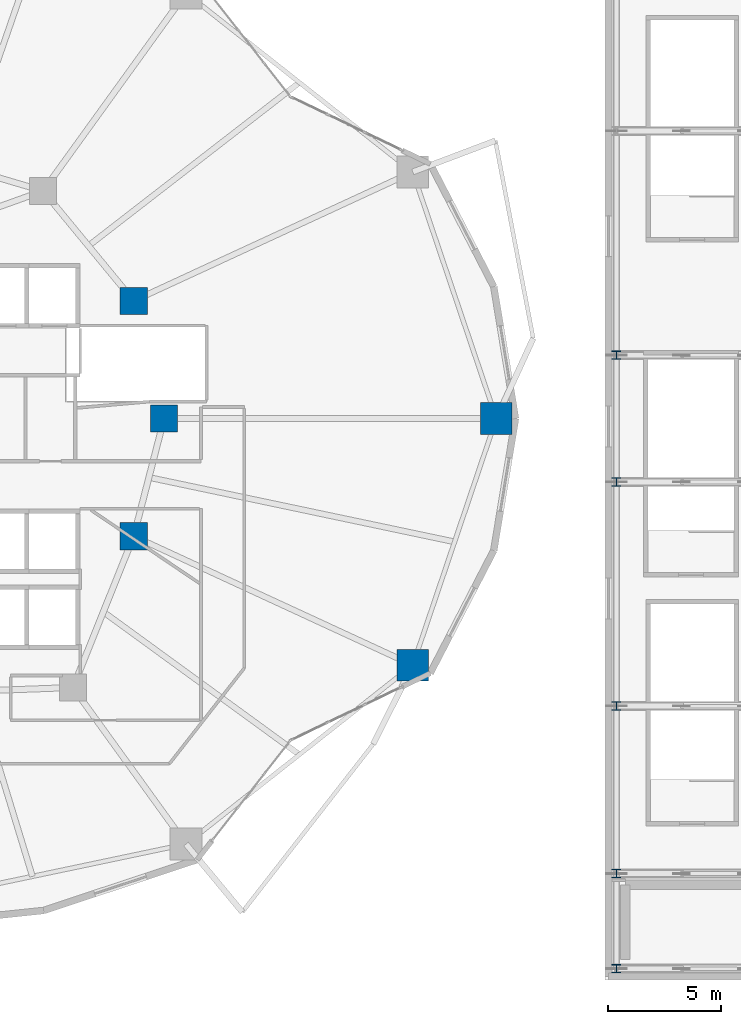
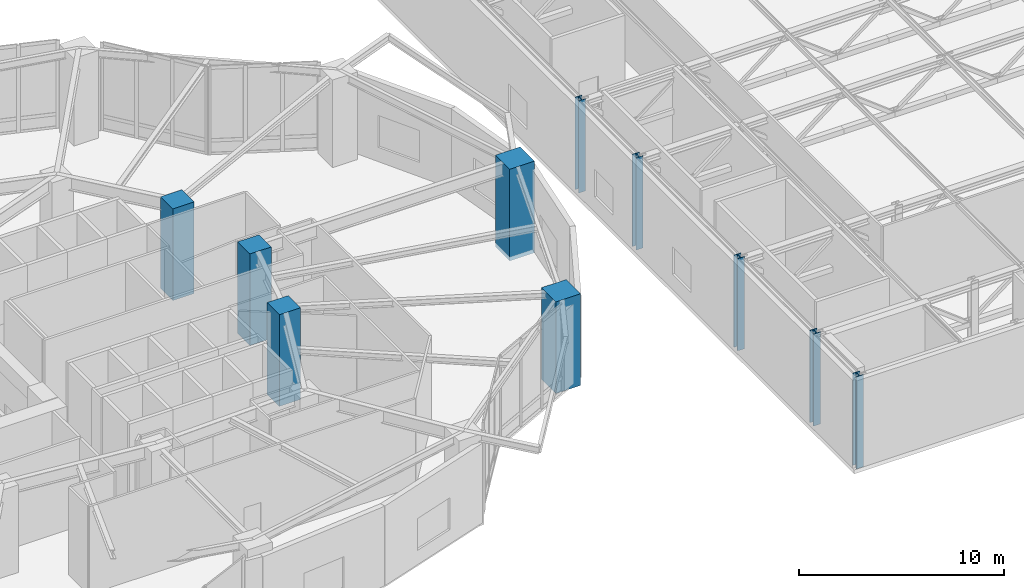
# One storey, part 2 of 29: 10 columns.
"""IFC4 building model written with IfcOpenShell, lengths in metres."""

from ifc_helpers import new_model, si_unit, direction, frame, origin, origin_2d, place, context, subcontext, project, spatial, rectangle, i_section, extrude, material, material_profile, profile_set, type_object, element, save


model = new_model("IFC4")

# Units and contexts
model_context = context("Model", 3, precision=1e-05, world=origin(), true_north=direction((0.0, 1.0)))
body_context = subcontext(model_context, "Body", "Model", "MODEL_VIEW")
ifc_project = project(units=[si_unit("LENGTHUNIT", "METRE"), si_unit("AREAUNIT", "SQUARE_METRE"), si_unit("VOLUMEUNIT", "CUBIC_METRE"), si_unit("PLANEANGLEUNIT", "RADIAN"), si_unit("MASSUNIT", "GRAM", prefix="KILO")], contexts=[model_context])

# Site, building, storey
site_placement = place(None, origin())
site = spatial("IfcSite", under=ifc_project, at=site_placement, CompositionType="ELEMENT")
building_placement = place(site_placement, origin())
building = spatial("IfcBuilding", under=site, at=building_placement, Name="Kolvaren Gate Tower and Convention Centre", CompositionType="ELEMENT")
storey_placement = place(building_placement, frame((0.0, 0.0, 21.0)))
storey = spatial("IfcBuildingStorey", under=building, at=storey_placement, Name="L04", CompositionType="ELEMENT", Elevation=21.0)

# Columns
ifc_material_1 = material(Name="Concrete C70/85", Category="concrete")
ifc_material_profile_1 = material_profile(ifc_material_1, rectangle(XDim=1.199951171875, YDim=1.199951171875, at=origin_2d()), Name="RC-COL-1200X1200")
ifc_profile_set_1 = profile_set([ifc_material_profile_1], Name="Concrete C70/85")
column_type_1 = type_object("IfcColumnType", Name="STR-COL-RC1200", PredefinedType="COLUMN", material=ifc_profile_set_1)
for number, where, z_axis, x_axis, name in (
    (1, (42.72509765625, 27.0, -0.239990234375), (0.0, 0.0, 1.0), (1.0, 0.0, 0.0), "Tower L04 Interior Column TI-01"),
    (2, (41.382080078125, 32.199462890625, -0.239990234375), (0.0, 0.0, 1.0), (1.0, 0.0, 0.0), "Tower L04 Interior Column TI-02"),
    (3, (41.382080078125, 21.800537109375, -0.239990234375), (0.0, 0.0, 1.0), (1.0, 0.0, 0.0), "Tower L04 Interior Column TI-09"),
):
    element("IfcColumn", number, at=place(storey_placement, frame(where, z_axis=z_axis, x_axis=x_axis)), inside=storey, type_object=column_type_1, Name=name, PredefinedType="COLUMN", context=body_context, shape_type="SweptSolid", body=[
        extrude(rectangle(XDim=1.199951171875, YDim=1.199951171875, at=origin_2d()), origin(), (0.0, 0.0, 1.0), 5.4599609375),
    ])
ifc_material_profile_2 = material_profile(ifc_material_1, rectangle(XDim=1.39990234375, YDim=1.39990234375, at=origin_2d()), Name="RC-COL-1400X1400")
ifc_profile_set_2 = profile_set([ifc_material_profile_2], Name="Concrete C70/85")
column_type_2 = type_object("IfcColumnType", Name="STR-COL-RC1400", PredefinedType="COLUMN", material=ifc_profile_set_2)
for number, where, z_axis, x_axis, name in (
    (4, (57.39990234375, 27.0, -0.239990234375), (0.0, 0.0, 1.0), (1.0, 0.0, 0.0), "Tower L04 Perimeter Supercolumn TP-01"),
    (5, (53.710205078125, 16.1064453125, -0.239990234375), (0.0, 0.0, 1.0), (1.0, 0.0, 0.0), "Tower L04 Perimeter Supercolumn TP-12"),
):
    element("IfcColumn", number, at=place(storey_placement, frame(where, z_axis=z_axis, x_axis=x_axis)), inside=storey, type_object=column_type_2, Name=name, PredefinedType="COLUMN", context=body_context, shape_type="SweptSolid", body=[
        extrude(rectangle(XDim=1.39990234375, YDim=1.39990234375, at=origin_2d()), origin(), (0.0, 0.0, 1.0), 5.4599609375),
    ])
ifc_material_2 = material(Name="Structural steel ASTM A992 Grade 345 MPa", Category="steel")
ifc_material_profile_3 = material_profile(ifc_material_2, i_section(OverallWidth=0.39501953125, OverallDepth=0.3798828125, WebThickness=0.018798828125, FlangeThickness=0.0302734375, at=origin_2d()), Name="W360X237")
ifc_profile_set_3 = profile_set([ifc_material_profile_3], Name="Structural steel ASTM A992 Grade 345 MPa")
column_type_3 = type_object("IfcColumnType", Name="STR-COL-W360X237", PredefinedType="COLUMN", material=ifc_profile_set_3)
for number, where, z_axis, x_axis, name in (
    (6, (62.699951171875, 2.699951171875, -0.239990234375), (0.0, 0.0, 1.0), (1.0, 0.0, 0.0), "Convention L04 Column CC-11"),
    (7, (62.699951171875, 6.89990234375, -0.239990234375), (0.0, 0.0, 1.0), (1.0, 0.0, 0.0), "Convention L04 Column CC-12"),
    (8, (62.699951171875, 14.300048828125, -0.239990234375), (0.0, 0.0, 1.0), (1.0, 0.0, 0.0), "Convention L04 Column CC-13"),
    (9, (62.699951171875, 24.199951171875, -0.239990234375), (0.0, 0.0, 1.0), (1.0, 0.0, 0.0), "Convention L04 Column CC-14"),
    (10, (62.699951171875, 29.800048828125, -0.239990234375), (0.0, 0.0, 1.0), (1.0, 0.0, 0.0), "Convention L04 Column CC-15"),
):
    element("IfcColumn", number, at=place(storey_placement, frame(where, z_axis=z_axis, x_axis=x_axis)), inside=storey, type_object=column_type_3, Name=name, PredefinedType="COLUMN", context=body_context, shape_type="SweptSolid", body=[
        extrude(i_section(OverallWidth=0.39501953125, OverallDepth=0.3798828125, WebThickness=0.018798828125, FlangeThickness=0.0302734375, at=origin_2d()), origin(), (0.0, 0.0, 1.0), 5.489990234375),
    ])

save(model, "model.ifc")
